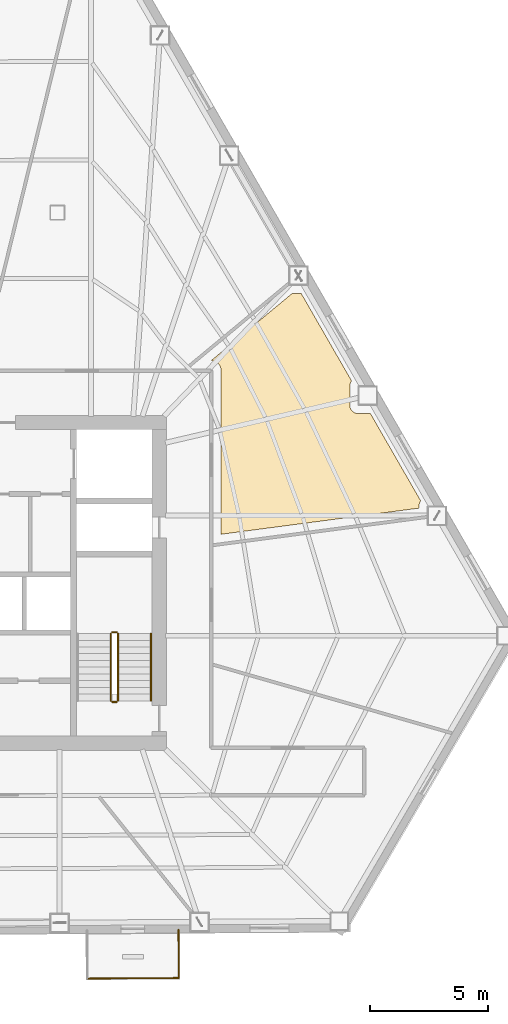
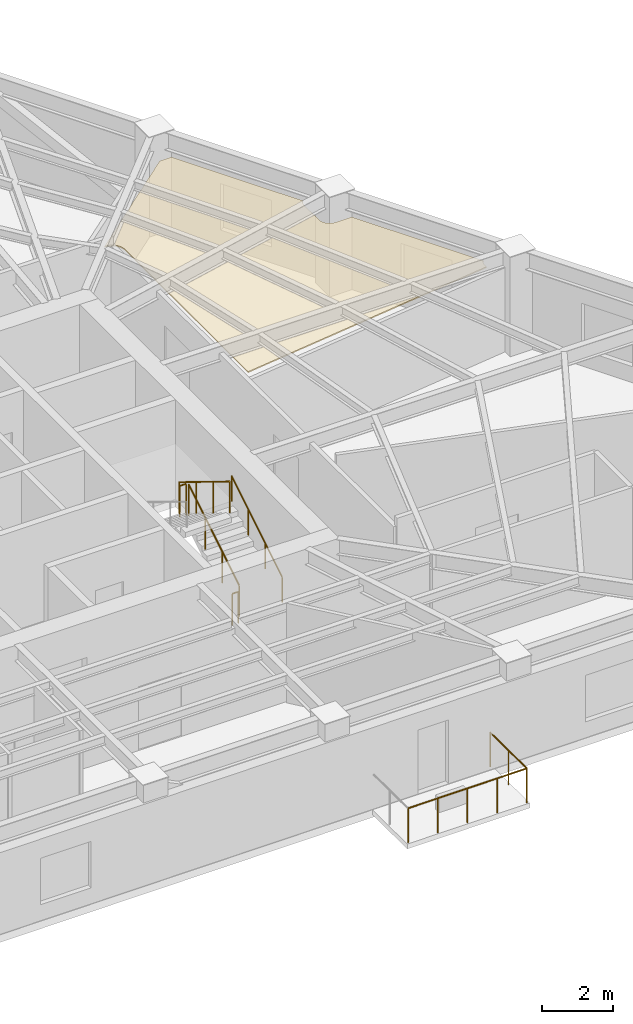
# One storey, part 13 of 14: 7 railings, 1 covering.
"""IFC4 building model written with IfcOpenShell, lengths in metres."""

from ifc_helpers import new_model, si_unit, direction, frame, origin, origin_2d, place, context, subcontext, project, spatial, polyline, circle, outline, extrude, material, layer, layer_set, type_object, element, save


model = new_model("IFC4")

# Units and contexts
model_context = context("Model", 3, precision=1e-05, world=origin(), true_north=direction((0.0, 1.0)))
body_context = subcontext(model_context, "Body", "Model", "MODEL_VIEW")
ifc_project = project(units=[si_unit("LENGTHUNIT", "METRE"), si_unit("AREAUNIT", "SQUARE_METRE"), si_unit("VOLUMEUNIT", "CUBIC_METRE"), si_unit("PLANEANGLEUNIT", "RADIAN"), si_unit("MASSUNIT", "GRAM", prefix="KILO")], contexts=[model_context])

# Site, building, storey
site_placement = place(None, origin())
site = spatial("IfcSite", under=ifc_project, at=site_placement, CompositionType="ELEMENT")
building_placement = place(site_placement, origin())
building = spatial("IfcBuilding", under=site, at=building_placement, Name="Kavelnor Concourse Tower", CompositionType="ELEMENT")
storey_placement = place(building_placement, frame((0.0, 0.0, 71.449951171875)))
storey = spatial("IfcBuildingStorey", under=building, at=storey_placement, Name="L18", CompositionType="ELEMENT", Elevation=71.449951171875)

# Covering
ifc_material_1 = material(Name="Mineral fibre acoustic ceiling tile")
ifc_layer = layer(ifc_material_1, 0.0400390625, Name="Mineral fibre acoustic ceiling tile")
ifc_layer_set = layer_set([ifc_layer], Name="Mineral fibre acoustic ceiling tile")
covering_type = type_object("IfcCoveringType", Name="COV-CEILING-ACOUSTIC", PredefinedType="CEILING", material=ifc_layer_set)
covering_placement = place(storey_placement, frame((0.0, 0.0, 2.75)))
element("IfcCovering", 1, at=covering_placement, inside=storey, type_object=covering_type, Name="L18 Suspended Acoustic Ceiling", PredefinedType="CEILING", context=body_context, shape_type="SweptSolid", body=[
    extrude(outline(polyline([(50.44091796875, 25.1416015625), (50.434814453125, 25.1826171875), (50.4248046875, 25.222900390625), (50.41064453125, 25.26171875), (50.39306640625, 25.29931640625), (50.37158203125, 25.3349609375), (50.346923828125, 25.368408203125), (50.319091796875, 25.39892578125), (50.288330078125, 25.427001953125), (50.2548828125, 25.45166015625), (50.219482421875, 25.472900390625), (50.181884765625, 25.49072265625), (50.142822265625, 25.504638671875), (50.1025390625, 25.514892578125), (50.0615234375, 25.52099609375), (50.0283203125, 25.5224609375), (50.018798828125, 25.5224609375), (53.45947265625, 28.374267578125), (53.8408203125, 28.374267578125), (55.977783203125, 24.66552734375), (55.960693359375, 24.642333984375), (55.9423828125, 24.612060546875), (55.92724609375, 24.580078125), (55.915283203125, 24.546630859375), (55.90673828125, 24.512451171875), (55.901611328125, 24.477294921875), (55.900390625, 24.450439453125), (55.900390625, 23.6337890625), (55.901611328125, 23.606689453125), (55.90673828125, 23.57177734375), (55.915283203125, 23.53759765625), (55.92724609375, 23.504150390625), (55.9423828125, 23.47216796875), (55.960693359375, 23.44189453125), (55.981689453125, 23.41357421875), (56.005615234375, 23.38720703125), (56.03173828125, 23.363525390625), (56.06005859375, 23.34228515625), (56.09033203125, 23.32421875), (56.122314453125, 23.30908203125), (56.15576171875, 23.297119140625), (56.18994140625, 23.28857421875), (56.22509765625, 23.283447265625), (56.251953125, 23.281982421875), (56.77490234375, 23.281982421875), (58.912109375, 19.5732421875), (58.894775390625, 19.550048828125), (58.876708984375, 19.519775390625), (58.861572265625, 19.48779296875), (58.849609375, 19.454345703125), (58.841064453125, 19.420166015625), (58.835693359375, 19.385009765625), (58.83447265625, 19.358154296875), (58.83447265625, 19.26806640625), (50.4423828125, 18.16064453125), (50.4423828125, 25.1083984375), (50.44091796875, 25.1416015625)])), origin(), (0.0, 0.0, 1.0), 0.0400390625),
])

# Railings
ifc_material_2 = material(Name="Steel Grade 350", Category="steel")
railing_type_1 = type_object("IfcRailingType", Name="RLG-GUARD-1100", PredefinedType="GUARDRAIL", material=ifc_material_2)
railing_1_placement = place(storey_placement, frame((46.070068359375, 11.10009765625, 0.175048828125)))
element("IfcRailing", 2, at=railing_1_placement, inside=storey, type_object=railing_type_1, Name="L18 ST2 stair guard 1", PredefinedType="GUARDRAIL", context=body_context, shape_type="SweptSolid", body=[
    extrude(circle(Radius=0.02392578125, at=origin_2d()), frame((0.0, 0.0, 1.076171875), z_axis=(0.0, 0.852159232446, 0.523282564737), x_axis=(-1.0, 0.0, 0.0)), (0.0, 0.0, 1.0), 3.34423828125),
    extrude(circle(Radius=0.02099609375, at=origin_2d()), origin(), (0.0, 0.0, 1.0), 1.052001953125),
    extrude(circle(Radius=0.02099609375, at=origin_2d()), frame((0.0, 0.949951171875, 0.583251953125)), (0.0, 0.0, 1.0), 1.052001953125),
    extrude(circle(Radius=0.02099609375, at=origin_2d()), frame((0.0, 1.89990234375, 1.166748046875)), (0.0, 0.0, 1.0), 1.052001953125),
    extrude(circle(Radius=0.02099609375, at=origin_2d()), frame((0.0, 2.849853515625, 1.75)), (0.0, 0.0, 1.0), 1.052001953125),
])
railing_2_placement = place(storey_placement, frame((46.02001953125, 14.0, 1.925048828125)))
element("IfcRailing", 3, at=railing_2_placement, inside=storey, type_object=railing_type_1, Name="L18 ST2 stair guard 2", PredefinedType="GUARDRAIL", context=body_context, shape_type="SweptSolid", body=[
    extrude(circle(Radius=0.02392578125, at=origin_2d()), frame((0.0, 0.0, 1.076171875), z_axis=(-1.0, 0.0, 0.0), x_axis=(0.0, -1.0, 0.0)), (0.0, 0.0, 1.0), 0.199951171875),
    extrude(circle(Radius=0.02099609375, at=origin_2d()), origin(), (0.0, 0.0, 1.0), 1.052001953125),
    extrude(circle(Radius=0.02099609375, at=origin_2d()), frame((-0.199951171875, 0.0, 0.0)), (0.0, 0.0, 1.0), 1.052001953125),
])
railing_3_placement = place(storey_placement, frame((45.77001953125, 13.949951171875, 2.10009765625)))
element("IfcRailing", 4, at=railing_3_placement, inside=storey, type_object=railing_type_1, Name="L18 ST2 stair guard 3", PredefinedType="GUARDRAIL", context=body_context, shape_type="SweptSolid", body=[
    extrude(circle(Radius=0.02392578125, at=origin_2d()), frame((0.0, 0.0, 1.076171875), z_axis=(0.0, -0.852159232446, 0.523282564737), x_axis=(1.0, 0.0, 0.0)), (0.0, 0.0, 1.0), 3.34423828125),
    extrude(circle(Radius=0.02099609375, at=origin_2d()), origin(), (0.0, 0.0, 1.0), 1.052001953125),
    extrude(circle(Radius=0.02099609375, at=origin_2d()), frame((0.0, -0.949951171875, 0.583251953125)), (0.0, 0.0, 1.0), 1.052001953125),
    extrude(circle(Radius=0.02099609375, at=origin_2d()), frame((0.0, -1.89990234375, 1.166748046875)), (0.0, 0.0, 1.0), 1.052001953125),
    extrude(circle(Radius=0.02099609375, at=origin_2d()), frame((0.0, -2.849853515625, 1.75)), (0.0, 0.0, 1.0), 1.052001953125),
])
railing_4_placement = place(storey_placement, frame((46.02001953125, 11.050048828125, 0.0)))
element("IfcRailing", 5, at=railing_4_placement, inside=storey, type_object=railing_type_1, Name="L18 ST2 stair guard 4", PredefinedType="GUARDRAIL", context=body_context, shape_type="SweptSolid", body=[
    extrude(circle(Radius=0.02392578125, at=origin_2d()), frame((0.0, 0.0, 1.076171875), z_axis=(-1.0, 0.0, 0.0), x_axis=(0.0, -1.0, 0.0)), (0.0, 0.0, 1.0), 0.199951171875),
    extrude(circle(Radius=0.02099609375, at=origin_2d()), origin(), (0.0, 0.0, 1.0), 1.052001953125),
    extrude(circle(Radius=0.02099609375, at=origin_2d()), frame((-0.199951171875, 0.0, 0.0)), (0.0, 0.0, 1.0), 1.052001953125),
])
railing_type_2 = type_object("IfcRailingType", Name="RLG-HANDRAIL-900", PredefinedType="HANDRAIL", material=ifc_material_2)
railing_5_placement = place(storey_placement, frame((47.469970703125, 11.10009765625, 0.175048828125)))
element("IfcRailing", 6, at=railing_5_placement, inside=storey, type_object=railing_type_2, Name="L18 ST2 stair handrail 1", PredefinedType="HANDRAIL", context=body_context, shape_type="SweptSolid", body=[
    extrude(circle(Radius=0.02392578125, at=origin_2d()), frame((0.0, 0.0, 0.8759765625), z_axis=(0.0, 0.852159232446, 0.523282564737), x_axis=(-1.0, 0.0, 0.0)), (0.0, 0.0, 1.0), 3.34423828125),
    extrude(circle(Radius=0.02099609375, at=origin_2d()), origin(), (0.0, 0.0, 1.0), 0.851806640625),
    extrude(circle(Radius=0.02099609375, at=origin_2d()), frame((0.0, 0.949951171875, 0.583251953125)), (0.0, 0.0, 1.0), 0.851806640625),
    extrude(circle(Radius=0.02099609375, at=origin_2d()), frame((0.0, 1.89990234375, 1.166748046875)), (0.0, 0.0, 1.0), 0.851806640625),
    extrude(circle(Radius=0.02099609375, at=origin_2d()), frame((0.0, 2.849853515625, 1.75)), (0.0, 0.0, 1.0), 0.851806640625),
])
ifc_material_3 = material(Name="Architectural bronze-anodised aluminium", Category="aluminium")
railing_type_3 = type_object("IfcRailingType", Name="RLG-TERRACE-1200", PredefinedType="BALUSTRADE", material=ifc_material_3)
railing_6_placement = place(storey_placement, frame((44.769775390625, -0.680908203125, 0.0)))
element("IfcRailing", 7, at=railing_6_placement, inside=storey, type_object=railing_type_3, Name="L18 Tree Balcony 2 Guardrail F", PredefinedType="BALUSTRADE", context=body_context, shape_type="SweptSolid", body=[
    extrude(circle(Radius=0.02392578125, at=origin_2d()), frame((0.0, 0.0, 1.17578125), z_axis=(0.999982133131, 0.005977743685, 0.0), x_axis=(-0.005977743685, 0.999982133131, 0.0)), (0.0, 0.0, 1.0), 3.8798828125),
    extrude(circle(Radius=0.02099609375, at=origin_2d()), origin(), (0.0, 0.0, 1.0), 1.15185546875),
    extrude(circle(Radius=0.02099609375, at=origin_2d()), frame((0.969970703125, 0.005859375, 0.0)), (0.0, 0.0, 1.0), 1.15185546875),
    extrude(circle(Radius=0.02099609375, at=origin_2d()), frame((1.93994140625, 0.01171875, 0.0)), (0.0, 0.0, 1.0), 1.15185546875),
    extrude(circle(Radius=0.02099609375, at=origin_2d()), frame((2.909912109375, 0.017333984375, 0.0)), (0.0, 0.0, 1.0), 1.15185546875),
    extrude(circle(Radius=0.02099609375, at=origin_2d()), frame((3.8798828125, 0.023193359375, 0.0)), (0.0, 0.0, 1.0), 1.15185546875),
])
railing_7_placement = place(storey_placement, frame((48.649658203125, -0.65771484375, 0.0)))
element("IfcRailing", 8, at=railing_7_placement, inside=storey, type_object=railing_type_3, Name="L18 Tree Balcony 2 Guardrail R", PredefinedType="BALUSTRADE", context=body_context, shape_type="SweptSolid", body=[
    extrude(circle(Radius=0.02392578125, at=origin_2d()), frame((0.0, 0.0, 1.17578125), z_axis=(-0.005955111173, 0.999982268168, 0.0), x_axis=(-0.999982268168, -0.005955111173, 0.0)), (0.0, 0.0, 1.0), 2.0498046875),
    extrude(circle(Radius=0.02099609375, at=origin_2d()), origin(), (0.0, 0.0, 1.0), 1.15185546875),
    extrude(circle(Radius=0.02099609375, at=origin_2d()), frame((-0.006103515625, 1.02490234375, 0.0)), (0.0, 0.0, 1.0), 1.15185546875),
    extrude(circle(Radius=0.02099609375, at=origin_2d()), frame((-0.01220703125, 2.0498046875, 0.0)), (0.0, 0.0, 1.0), 1.15185546875),
])

save(model, "model.ifc")
